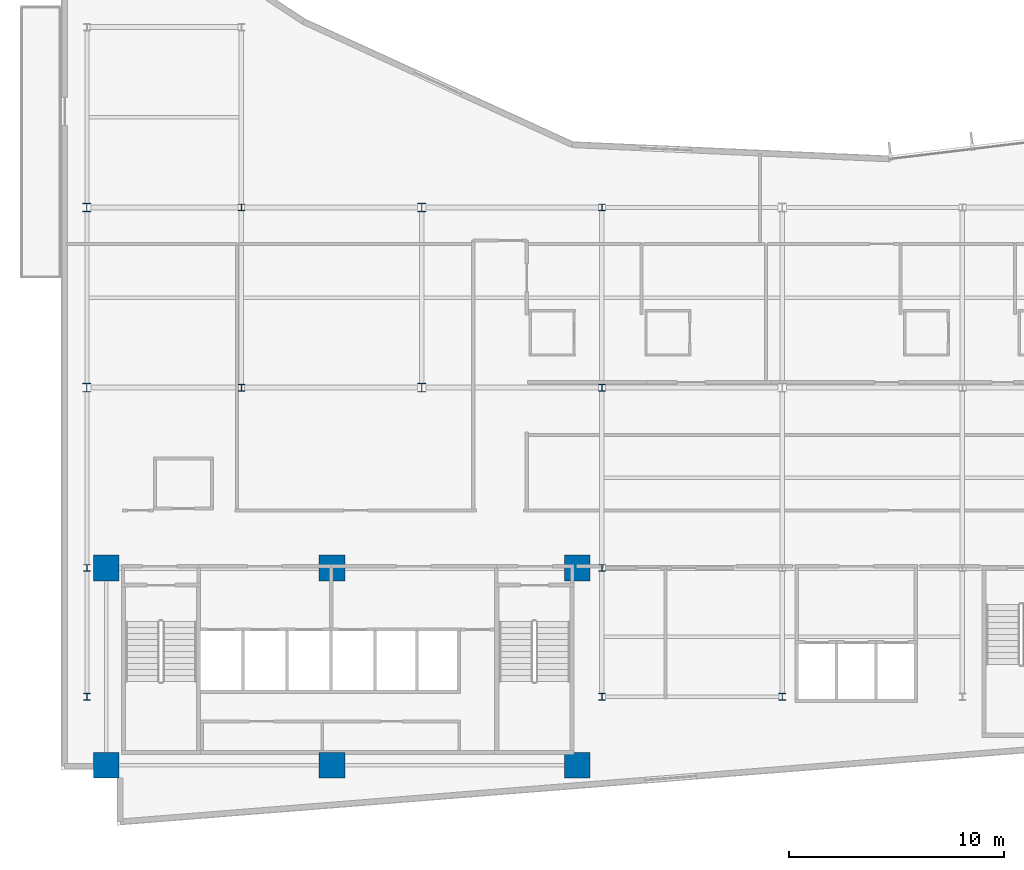
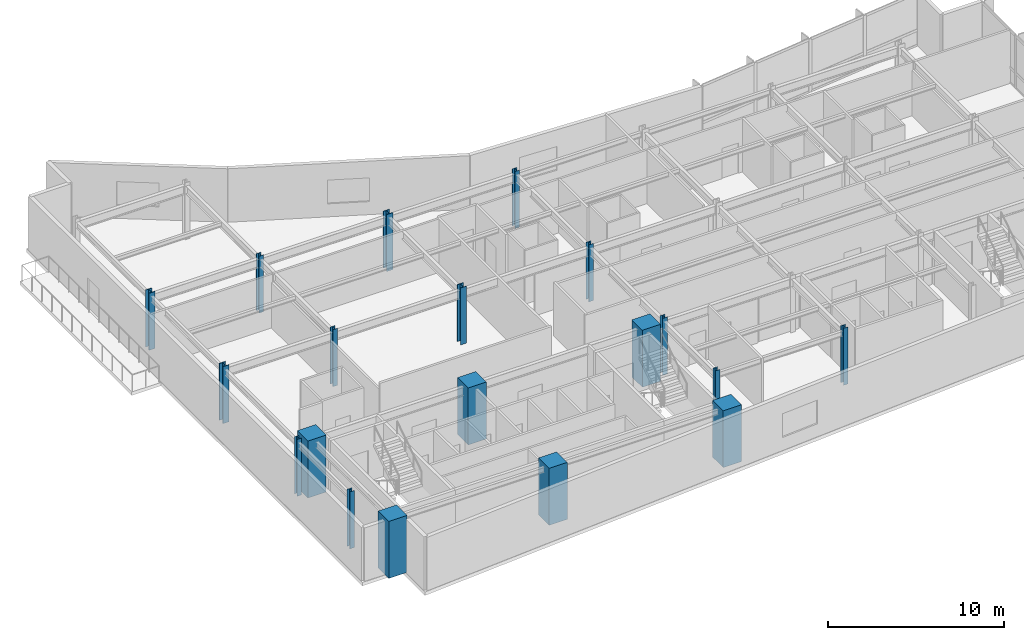
# One storey, part 1 of 18: 19 columns.
"""IFC4 building model written with IfcOpenShell, lengths in metres."""

from ifc_helpers import new_model, si_unit, direction, frame, origin, origin_2d, place, context, subcontext, project, spatial, rectangle, i_section, extrude, material, material_profile, profile_set, type_object, element, save


model = new_model("IFC4")

# Units and contexts
model_context = context("Model", 3, precision=1e-05, world=origin(), true_north=direction((0.0, 1.0)))
body_context = subcontext(model_context, "Body", "Model", "MODEL_VIEW")
ifc_project = project(units=[si_unit("LENGTHUNIT", "METRE"), si_unit("AREAUNIT", "SQUARE_METRE"), si_unit("VOLUMEUNIT", "CUBIC_METRE"), si_unit("PLANEANGLEUNIT", "RADIAN"), si_unit("MASSUNIT", "GRAM", prefix="KILO")], contexts=[model_context])

# Site, building, storey
site_placement = place(None, origin())
site = spatial("IfcSite", under=ifc_project, at=site_placement, CompositionType="ELEMENT")
building_placement = place(site_placement, origin())
building = spatial("IfcBuilding", under=site, at=building_placement, Name="Varnakote Quay Hospital", CompositionType="ELEMENT")
storey_placement = place(building_placement, frame((0.0, 0.0, 142.85009765625)))
storey = spatial("IfcBuildingStorey", under=building, at=storey_placement, Name="L35", CompositionType="ELEMENT", Elevation=142.85009765625)

# Columns
ifc_material_1 = material(Name="Concrete N80 (f'c 80 MPa)", Category="concrete")
ifc_material_profile_1 = material_profile(ifc_material_1, rectangle(XDim=1.199951171875, YDim=1.199951171875, at=origin_2d()), Name="RC-COL-1200x1200")
ifc_profile_set_1 = profile_set([ifc_material_profile_1], Name="Concrete N80 (f'c 80 MPa)")
column_type_1 = type_object("IfcColumnType", Name="COL-RC-1200", PredefinedType="COLUMN", material=ifc_profile_set_1)
for number, where, z_axis, x_axis, name in (
    (1, (2.10009765625, 2.800048828125, 0.0), (0.0, 0.0, 1.0), (1.0, 0.0, 0.0), "L35 Structural Column C-2-3"),
    (2, (12.6201171875, 2.800048828125, 0.0), (0.0, 0.0, 1.0), (1.0, 0.0, 0.0), "L35 Structural Column C-13-3"),
    (3, (24.050048828125, 2.800048828125, 0.0), (0.0, 0.0, 1.0), (1.0, 0.0, 0.0), "L35 Structural Column C-24-3"),
    (4, (2.10009765625, 12.0, 0.0), (0.0, 0.0, 1.0), (1.0, 0.0, 0.0), "L35 Structural Column C-2-12"),
    (5, (12.6201171875, 12.0, 0.0), (0.0, 0.0, 1.0), (1.0, 0.0, 0.0), "L35 Structural Column C-13-12"),
    (6, (24.050048828125, 12.0, 0.0), (0.0, 0.0, 1.0), (1.0, 0.0, 0.0), "L35 Structural Column C-24-12"),
):
    element("IfcColumn", number, at=place(storey_placement, frame(where, z_axis=z_axis, x_axis=x_axis)), inside=storey, type_object=column_type_1, Name=name, PredefinedType="COLUMN", context=body_context, shape_type="SweptSolid", body=[
        extrude(rectangle(XDim=1.199951171875, YDim=1.199951171875, at=origin_2d()), origin(), (0.0, 0.0, 1.0), 3.949951171875),
    ])
ifc_material_2 = material(Name="Structural steel AS/NZS 3679.1 Grade 350 L0 (fy 340 MPa)", Category="steel")
ifc_material_profile_2 = material_profile(ifc_material_2, i_section(OverallWidth=0.306884765625, OverallDepth=0.31494140625, WebThickness=0.011962890625, FlangeThickness=0.018798828125, FilletRadius=0.0166015625, at=origin_2d()), Name="310UC118")
ifc_profile_set_2 = profile_set([ifc_material_profile_2], Name="Structural steel AS/NZS 3679.1 Grade 350 L0 (fy 340 MPa)")
column_type_2 = type_object("IfcColumnType", Name="COL-STL-310UC118", PredefinedType="COLUMN", material=ifc_profile_set_2)
for number, where, z_axis, x_axis, name in (
    (7, (1.199951171875, 6.0, 0.0), (0.0, 0.0, 1.0), (1.0, 0.0, 0.0), "L35 Structural Column C-1-6"),
    (8, (25.199951171875, 6.0, 0.0), (0.0, 0.0, 1.0), (1.0, 0.0, 0.0), "L35 Structural Column C-25-6"),
    (9, (33.60009765625, 6.0, 0.0), (0.0, 0.0, 1.0), (1.0, 0.0, 0.0), "L35 Structural Column C-34-6"),
    (10, (1.199951171875, 12.0, 0.0), (0.0, 0.0, 1.0), (1.0, 0.0, 0.0), "L35 Structural Column C-1-12"),
    (11, (25.199951171875, 12.0, 0.0), (0.0, 0.0, 1.0), (1.0, 0.0, 0.0), "L35 Structural Column C-25-12"),
    (12, (8.39990234375, 20.39990234375, 0.0), (0.0, 0.0, 1.0), (1.0, 0.0, 0.0), "L35 Structural Column C-8-20"),
    (13, (25.199951171875, 20.39990234375, 0.0), (0.0, 0.0, 1.0), (1.0, 0.0, 0.0), "L35 Structural Column C-25-20"),
    (14, (8.39990234375, 28.800048828125, 0.0), (0.0, 0.0, 1.0), (1.0, 0.0, 0.0), "L35 Structural Column C-8-29"),
    (15, (25.199951171875, 28.800048828125, 0.0), (0.0, 0.0, 1.0), (1.0, 0.0, 0.0), "L35 Structural Column C-25-29"),
):
    element("IfcColumn", number, at=place(storey_placement, frame(where, z_axis=z_axis, x_axis=x_axis)), inside=storey, type_object=column_type_2, Name=name, PredefinedType="COLUMN", context=body_context, shape_type="SweptSolid", body=[
        extrude(i_section(OverallWidth=0.306884765625, OverallDepth=0.31494140625, WebThickness=0.011962890625, FlangeThickness=0.018798828125, FilletRadius=0.0166015625, at=origin_2d()), origin(), (0.0, 0.0, 1.0), 3.949951171875),
    ])
ifc_material_3 = material(Name="Structural steel AS/NZS 3678 Grade 350 (fy 340 MPa)", Category="steel")
ifc_material_profile_3 = material_profile(ifc_material_3, i_section(OverallWidth=0.39990234375, OverallDepth=0.419921875, WebThickness=0.02490234375, FlangeThickness=0.0400390625, at=origin_2d()), Name="400WC328")
ifc_profile_set_3 = profile_set([ifc_material_profile_3], Name="Structural steel AS/NZS 3678 Grade 350 (fy 340 MPa)")
column_type_3 = type_object("IfcColumnType", Name="COL-STL-400WC328", PredefinedType="COLUMN", material=ifc_profile_set_3)
for number, where, z_axis, x_axis, name in (
    (16, (1.199951171875, 20.39990234375, 0.0), (0.0, 0.0, 1.0), (1.0, 0.0, 0.0), "L35 Structural Column C-1-20"),
    (17, (16.800048828125, 20.39990234375, 0.0), (0.0, 0.0, 1.0), (1.0, 0.0, 0.0), "L35 Structural Column C-17-20"),
    (18, (1.199951171875, 28.800048828125, 0.0), (0.0, 0.0, 1.0), (1.0, 0.0, 0.0), "L35 Structural Column C-1-29"),
    (19, (16.800048828125, 28.800048828125, 0.0), (0.0, 0.0, 1.0), (1.0, 0.0, 0.0), "L35 Structural Column C-17-29"),
):
    element("IfcColumn", number, at=place(storey_placement, frame(where, z_axis=z_axis, x_axis=x_axis)), inside=storey, type_object=column_type_3, Name=name, PredefinedType="COLUMN", context=body_context, shape_type="SweptSolid", body=[
        extrude(i_section(OverallWidth=0.39990234375, OverallDepth=0.419921875, WebThickness=0.02490234375, FlangeThickness=0.0400390625, at=origin_2d()), origin(), (0.0, 0.0, 1.0), 3.949951171875),
    ])

save(model, "model.ifc")
